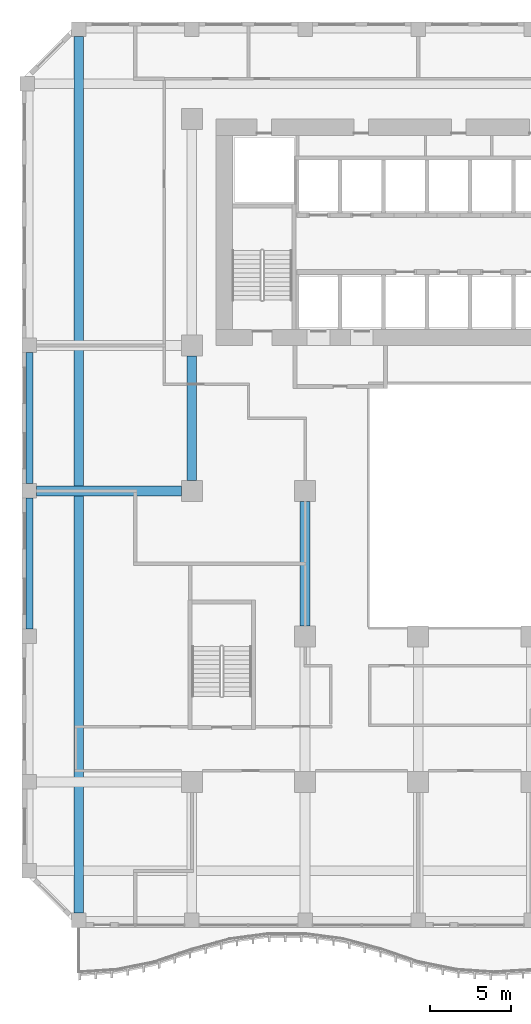
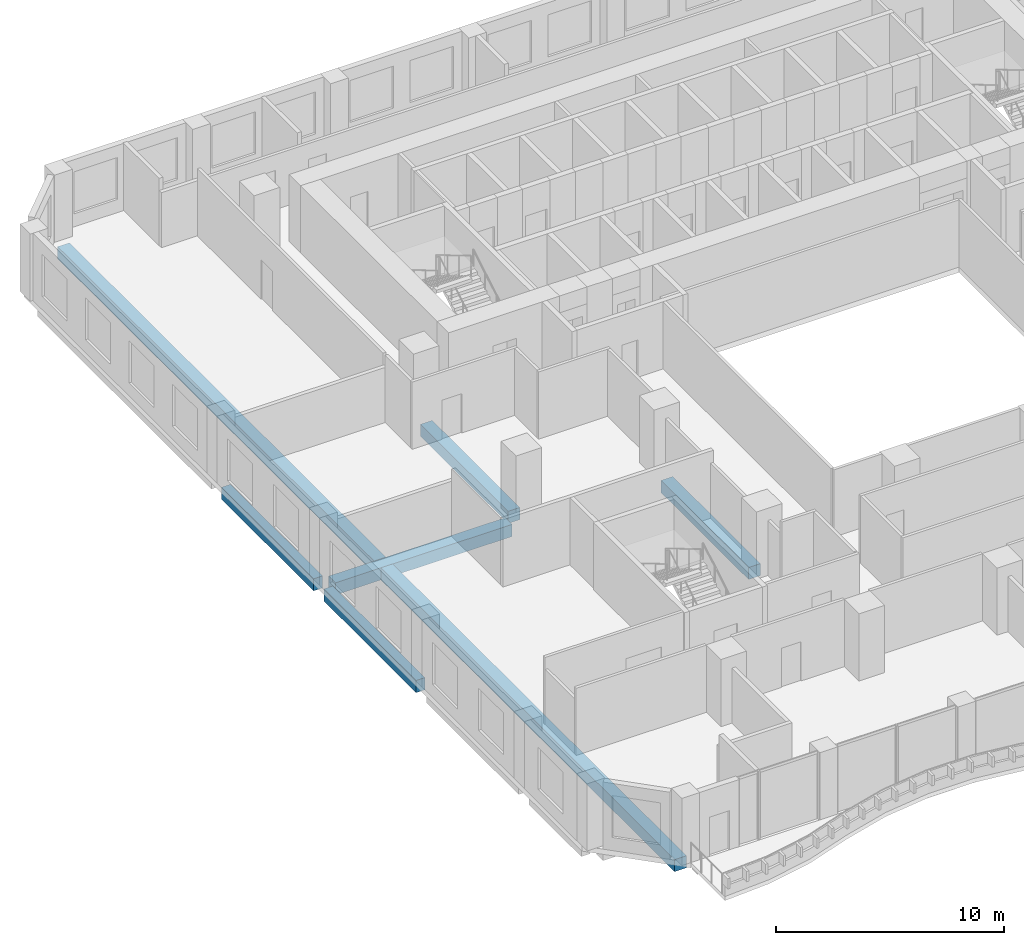
# One storey, part 5 of 23: 6 beams.
"""IFC4 building model written with IfcOpenShell, lengths in metres."""

from ifc_helpers import new_model, si_unit, direction, frame, origin, origin_2d, place, context, subcontext, project, spatial, rectangle, extrude, source, transform, mapped, material, material_profile, profile_set, type_object, element, save


model = new_model("IFC4")

# Units and contexts
model_context = context("Model", 3, precision=1e-05, world=origin(), true_north=direction((0.0, 1.0)))
body_context = subcontext(model_context, "Body", "Model", "MODEL_VIEW")
ifc_project = project(units=[si_unit("LENGTHUNIT", "METRE"), si_unit("AREAUNIT", "SQUARE_METRE"), si_unit("VOLUMEUNIT", "CUBIC_METRE"), si_unit("PLANEANGLEUNIT", "RADIAN"), si_unit("MASSUNIT", "GRAM", prefix="KILO")], contexts=[model_context])

# Site, building, storey
site_placement = place(None, origin())
site = spatial("IfcSite", under=ifc_project, at=site_placement, CompositionType="ELEMENT")
building_placement = place(site_placement, origin())
building = spatial("IfcBuilding", under=site, at=building_placement, Name="Kilnfold Tower and Market Hall", CompositionType="ELEMENT")
storey_placement = place(building_placement, frame((0.0, 0.0, 55.0)))
storey = spatial("IfcBuildingStorey", under=building, at=storey_placement, Name="L12", CompositionType="ELEMENT", Elevation=55.0)

# Beams
ifc_material_1 = material(Name="Concrete C45", Category="concrete")
ifc_material_profile_1 = material_profile(ifc_material_1, rectangle(XDim=0.60009765625, YDim=0.64990234375, at=origin_2d()), Name="RC 600x650")
ifc_profile_set_1 = profile_set([ifc_material_profile_1], Name="Concrete C45")
beam_type_1 = type_object("IfcBeamType", Name="BEAM 600X650 C45", PredefinedType="BEAM", material=ifc_profile_set_1)
shared_shape_1 = source(origin(), body_context, "Body", "SweptSolid", [
    extrude(rectangle(XDim=0.60009765625, YDim=0.64990234375, at=origin_2d()), origin(), (0.0, 0.0, 1.0), 8.9501953125),
])
beam_1_placement = place(storey_placement, frame((-27.10009765625, -1.0, -0.60498046875), z_axis=(1.0, 0.0, 0.0), x_axis=(0.0, 1.0, 0.0)))
element("IfcBeam", 1, at=beam_1_placement, inside=storey, type_object=beam_type_1, Name="Beam BB650-B1.16", PredefinedType="BEAM", context=body_context, shape_type="MappedRepresentation", body=[
    mapped(shared_shape_1, transform((0.0, 0.0, 0.0))),
])
ifc_material_2 = material(Name="Concrete C45", Category="concrete")
ifc_material_profile_2 = material_profile(ifc_material_2, rectangle(XDim=0.449951171875, YDim=0.64990234375, at=origin_2d()), Name="RC 450x650")
ifc_profile_set_2 = profile_set([ifc_material_profile_2], Name="Concrete C45")
beam_type_2 = type_object("IfcBeamType", Name="EDGE BEAM 450X650 C45", PredefinedType="BEAM", material=ifc_profile_set_2)
shared_shape_2 = source(origin(), body_context, "Body", "SweptSolid", [
    extrude(rectangle(XDim=0.449951171875, YDim=0.64990234375, at=origin_2d()), origin(), (0.0, 0.0, 1.0), 8.10009765625),
])
for number, where, z_axis, x_axis, name in (
    (2, (-27.550048828125, -9.550048828125, -0.60498046875), (0.0, 1.0, 0.0), (-1.0, 0.0, 0.0), "Beam EB650-B1.32"),
    (3, (-27.550048828125, -0.550048828125, -0.60498046875), (0.0, 1.0, 0.0), (-1.0, 0.0, 0.0), "Beam EB650-B1.33"),
):
    element("IfcBeam", number, at=place(storey_placement, frame(where, z_axis=z_axis, x_axis=x_axis)), inside=storey, type_object=beam_type_2, Name=name, PredefinedType="BEAM", context=body_context, shape_type="MappedRepresentation", body=[
        mapped(shared_shape_2, transform((0.0, 0.0, 0.0))),
    ])
shared_shape_3 = source(origin(), body_context, "Body", "SweptSolid", [
    extrude(rectangle(XDim=0.60009765625, YDim=0.64990234375, at=origin_2d()), origin(), (0.0, 0.0, 1.0), 54.2001953125),
])
beam_2_placement = place(storey_placement, frame((-24.5, -27.10009765625, -0.60498046875), z_axis=(0.0, 1.0, 0.0), x_axis=(-1.0, 0.0, 0.0)))
element("IfcBeam", 4, at=beam_2_placement, inside=storey, type_object=beam_type_1, Name="Beam BB650-B1.35", PredefinedType="BEAM", context=body_context, shape_type="MappedRepresentation", body=[
    mapped(shared_shape_3, transform((0.0, 0.0, 0.0))),
])
shared_shape_4 = source(origin(), body_context, "Body", "SweptSolid", [
    extrude(rectangle(XDim=0.60009765625, YDim=0.64990234375, at=origin_2d()), origin(), (0.0, 0.0, 1.0), 7.7001953125),
])
for number, where, z_axis, x_axis, name in (
    (5, (-17.5, -0.35009765625, -0.60498046875), (0.0, 1.0, 0.0), (-1.0, 0.0, 0.0), "Beam BB650-B1.37"),
    (6, (-10.5, -9.35009765625, -0.60498046875), (0.0, 1.0, 0.0), (-1.0, 0.0, 0.0), "Beam BB650-B1.42"),
):
    element("IfcBeam", number, at=place(storey_placement, frame(where, z_axis=z_axis, x_axis=x_axis)), inside=storey, type_object=beam_type_1, Name=name, PredefinedType="BEAM", context=body_context, shape_type="MappedRepresentation", body=[
        mapped(shared_shape_4, transform((0.0, 0.0, 0.0))),
    ])

save(model, "model.ifc")
